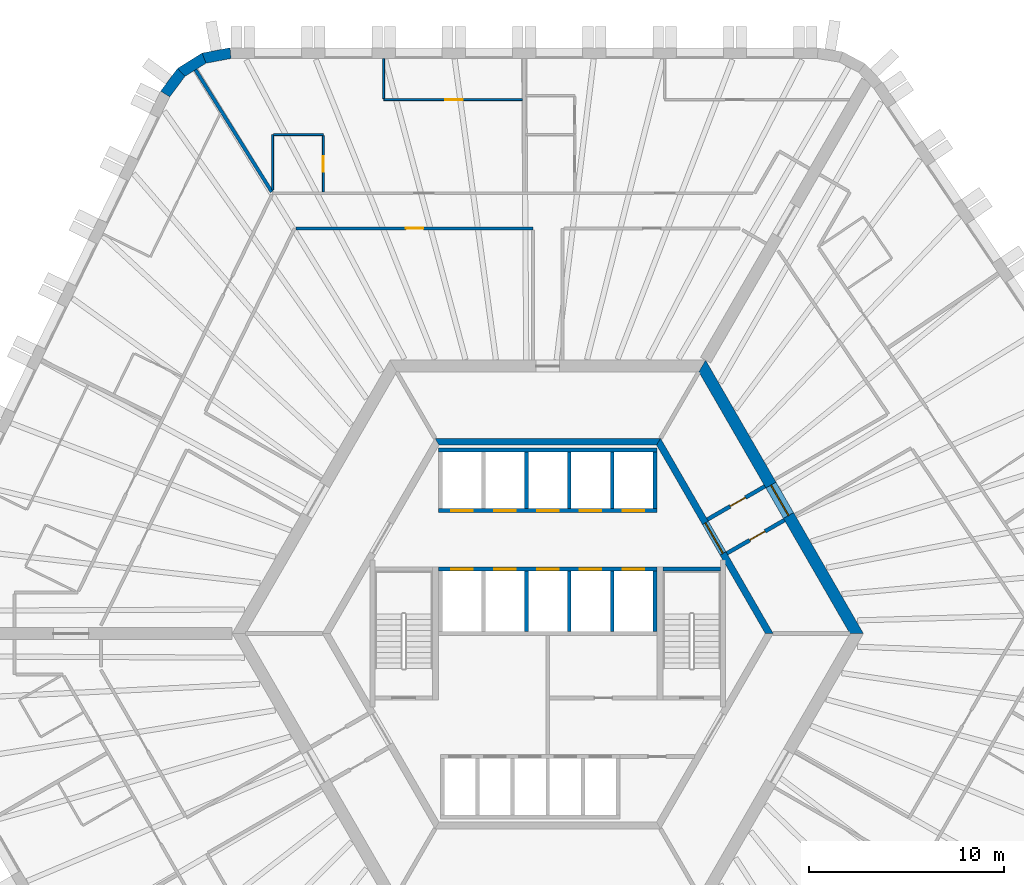
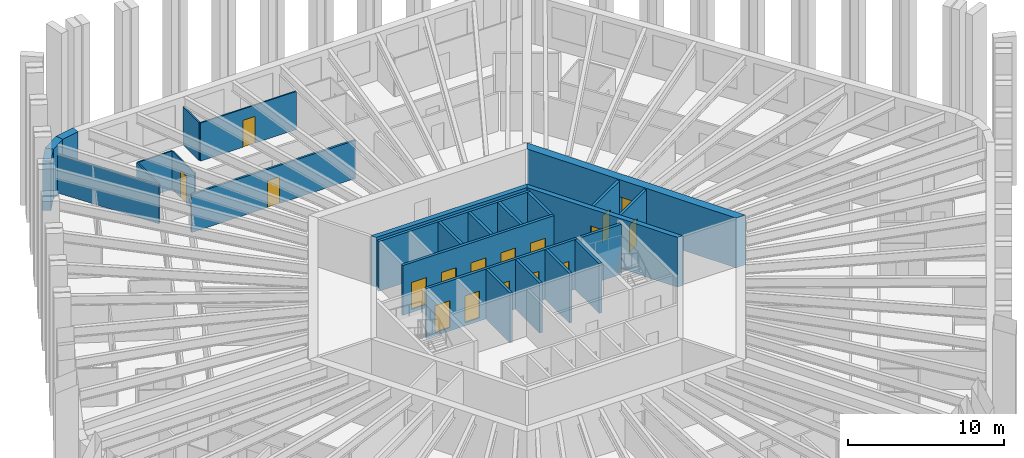
# One storey, part 8 of 12: 27 walls, 17 doors, 17 openings.
"""IFC4 building model written with IfcOpenShell, lengths in metres."""

from ifc_helpers import new_model, si_unit, direction, frame, frame_2d, origin, place, context, subcontext, project, spatial, polyline, rectangle, outline, extrude, material, layer, layer_set, type_object, element, fill, save


model = new_model("IFC4")

# Units and contexts
model_context = context("Model", 3, precision=1e-05, world=origin(), true_north=direction((0.0, 1.0)))
body_context = subcontext(model_context, "Body", "Model", "MODEL_VIEW")
ifc_project = project(units=[si_unit("LENGTHUNIT", "METRE"), si_unit("AREAUNIT", "SQUARE_METRE"), si_unit("VOLUMEUNIT", "CUBIC_METRE"), si_unit("PLANEANGLEUNIT", "RADIAN"), si_unit("MASSUNIT", "GRAM", prefix="KILO")], contexts=[model_context])

# Site, building, storey
site_placement = place(None, origin())
site = spatial("IfcSite", under=ifc_project, at=site_placement, CompositionType="ELEMENT")
building_placement = place(site_placement, origin())
building = spatial("IfcBuilding", under=site, at=building_placement, Name="Tarnside Tower", CompositionType="ELEMENT")
storey_placement = place(building_placement, frame((0.0, 0.0, 49.199951171875)))
storey = spatial("IfcBuildingStorey", under=building, at=storey_placement, Name="L09", CompositionType="ELEMENT", Elevation=49.199951171875)

# Walls
ifc_material_1 = material(Name="Gypsum board partition on steel studs", Category="steel")
ifc_layer_1 = layer(ifc_material_1, 0.10009765625)
ifc_layer_set_1 = layer_set([ifc_layer_1], Name="Bathroom wall 100")
wall_type_1 = type_object("IfcWallType", Name="Bathroom wall 100", PredefinedType="PARTITIONING", material=ifc_layer_set_1)
wall_1_placement = place(storey_placement, frame((-14.0908203125, 22.72119140625, 0.0), z_axis=(0.0, 0.0, 1.0), x_axis=(0.0, 1.0, 0.0)))
element("IfcWall", 1, at=wall_1_placement, inside=storey, type_object=wall_type_1, Name="Bathroom wall 02082", PredefinedType="PARTITIONING", context=body_context, shape_type="SweptSolid", body=[
    extrude(rectangle(XDim=2.828857421875, YDim=0.10009765625, at=frame_2d((1.41455078125, 0.0))), origin(), (0.0, 0.0, 1.0), 2.98779296875),
])
wall_2_placement = place(storey_placement, frame((-14.040771484375, 25.550048828125, 0.0), z_axis=(0.0, 0.0, 1.0), x_axis=(1.0, 0.0, 0.0)))
element("IfcWall", 2, at=wall_2_placement, inside=storey, type_object=wall_type_1, Name="Bathroom wall 02083", PredefinedType="PARTITIONING", context=body_context, shape_type="SweptSolid", body=[
    extrude(rectangle(XDim=2.550048828125, YDim=0.10009765625, at=frame_2d((1.27490234375, 0.0))), origin(), (0.0, 0.0, 1.0), 2.98779296875),
])

# Wall, opening, door
wall_3_placement = place(storey_placement, frame((-11.49072265625, 25.5, 0.0), z_axis=(0.0, 0.0, 1.0), x_axis=(0.0, -1.0, 0.0)))
wall_3 = element("IfcWall", 3, at=wall_3_placement, inside=storey, type_object=wall_type_1, Name="Bathroom wall 02084", PredefinedType="PARTITIONING", context=body_context, shape_type="SweptSolid", body=[
    extrude(rectangle(XDim=2.875, YDim=0.10009765625, at=frame_2d((1.4375, 0.0))), origin(), (0.0, 0.0, 1.0), 2.98779296875),
])
opening_1_placement = place(wall_3_placement, frame((1.050048828125, 0.0, 0.0)))
opening_1 = element("IfcOpeningElement", 4, at=opening_1_placement, cuts=wall_3, Name="Opening D-B1", PredefinedType="OPENING", context=body_context, shape_type="SweptSolid", body=[
    extrude(rectangle(XDim=0.800048828125, YDim=2.10009765625, at=frame_2d((0.39990234375, 1.050048828125))), frame((0.0, 0.06005859375, 0.0), z_axis=(0.0, -1.0, 0.0), x_axis=(1.0, 0.0, 0.0)), (0.0, 0.0, 1.0), 0.1201171875),
])
ifc_material_2 = material(Name="Timber door leaf", Category="wood")
door_type_1 = type_object("IfcDoorType", Name="Bathroom door 800", OperationType="NOTDEFINED", PredefinedType="DOOR", material=ifc_material_2)
door_1_placement = place(opening_1_placement, origin())
door_1 = element("IfcDoor", 5, at=door_1_placement, inside=storey, type_object=door_type_1, Name="Bathroom door 02006", OperationType="SINGLE_SWING_RIGHT", OverallHeight=2.10009765625, OverallWidth=0.800048828125, PredefinedType="DOOR", context=body_context, shape_type="SweptSolid", body=[
    extrude(rectangle(XDim=0.800048828125, YDim=2.10009765625, at=frame_2d((0.39990234375, 1.050048828125))), frame((0.0, 0.02490234375, 0.0), z_axis=(0.0, -1.0, 0.0), x_axis=(1.0, 0.0, 0.0)), (0.0, 0.0, 1.0), 0.050048828125),
])
fill(opening_1, door_1)

ifc_material_3 = material(Name="Concrete C50/60", Category="concrete")
ifc_layer_2 = layer(ifc_material_3, 0.35009765625)
ifc_layer_set_2 = layer_set([ifc_layer_2], Name="Core block wall 350 C50/60")
wall_type_2 = type_object("IfcWallType", Name="Core block wall 350 C50/60", PredefinedType="SHEAR", material=ifc_layer_set_2)
wall_4_placement = place(storey_placement, frame((11.344970703125, 0.0, -0.14990234375), z_axis=(0.0, 0.0, 1.0), x_axis=(-0.499995046907, 0.866028263435, 0.0)))
wall_4 = element("IfcWall", 6, at=wall_4_placement, inside=storey, type_object=wall_type_2, Name="L09 core block wall face 6", PredefinedType="SHEAR", context=body_context, shape_type="SweptSolid", body=[
    extrude(outline(polyline([(-0.10107421875, -0.175048828125), (11.44580078125, -0.175048828125), (11.24365234375, 0.175048828125), (0.10107421875, 0.175048828125), (-0.10107421875, -0.175048828125)])), origin(), (0.0, 0.0, 1.0), 3.89990234375),
])
opening_2_placement = place(wall_4_placement, frame((4.74365234375, 0.0, 0.14990234375)))
opening_2 = element("IfcOpeningElement", 7, at=opening_2_placement, cuts=wall_4, Name="Opening CD-LOB", PredefinedType="OPENING", context=body_context, shape_type="SweptSolid", body=[
    extrude(rectangle(XDim=1.800048828125, YDim=2.39990234375, at=frame_2d((0.89990234375, 1.199951171875))), frame((0.0, 0.18505859375, 0.0), z_axis=(0.0, -1.0, 0.0), x_axis=(1.0, 0.0, 0.0)), (0.0, 0.0, 1.0), 0.3701171875),
])
ifc_material_4 = material(Name="Steel fire door", Category="steel")
door_type_2 = type_object("IfcDoorType", Name="Lobby double door FD30S 1800x2400", OperationType="NOTDEFINED", PredefinedType="DOOR", material=ifc_material_4)
door_2_placement = place(opening_2_placement, origin())
door_2 = element("IfcDoor", 8, at=door_2_placement, inside=storey, type_object=door_type_2, Name="L09 lobby block door P2", OperationType="DOUBLE_DOOR_SINGLE_SWING", OverallHeight=2.39990234375, OverallWidth=1.800048828125, PredefinedType="DOOR", context=body_context, shape_type="SweptSolid", body=[
    extrude(rectangle(XDim=1.800048828125, YDim=2.39990234375, at=frame_2d((0.89990234375, 1.199951171875))), frame((0.0, 0.02490234375, 0.0), z_axis=(0.0, -1.0, 0.0), x_axis=(1.0, 0.0, 0.0)), (0.0, 0.0, 1.0), 0.050048828125),
])
fill(opening_2, door_2)

# Wall
wall_5_placement = place(storey_placement, frame((5.672607421875, 9.824951171875, -0.14990234375), z_axis=(0.0, 0.0, 1.0), x_axis=(-1.0, 0.0, 0.0)))
element("IfcWall", 9, at=wall_5_placement, inside=storey, type_object=wall_type_2, Name="L09 core block wall face 1", PredefinedType="SHEAR", context=body_context, shape_type="SweptSolid", body=[
    extrude(outline(polyline([(-0.10107421875, -0.175048828125), (11.4462890625, -0.175048828125), (11.244140625, 0.175048828125), (0.10107421875, 0.175048828125), (-0.10107421875, -0.175048828125)])), origin(), (0.0, 0.0, 1.0), 3.89990234375),
])

# Wall, opening, door
ifc_material_5 = material(Name="Concrete C40/50", Category="concrete")
ifc_layer_3 = layer(ifc_material_5, 0.199951171875)
ifc_layer_set_3 = layer_set([ifc_layer_3], Name="Core room partition 200 C40/50")
wall_type_3 = type_object("IfcWallType", Name="Core room partition 200 C40/50", PredefinedType="PARTITIONING", material=ifc_layer_set_3)
wall_6_placement = place(storey_placement, frame((8.1748046875, 5.841064453125, 0.0), z_axis=(0.0, 0.0, 1.0), x_axis=(0.866020560687, 0.500008388397, 0.0)))
wall_6 = element("IfcWall", 10, at=wall_6_placement, inside=storey, type_object=wall_type_3, Name="L09 core partition AC5L", PredefinedType="PARTITIONING", context=body_context, shape_type="SweptSolid", body=[
    extrude(rectangle(XDim=3.39990234375, YDim=0.199951171875, at=frame_2d((1.699951171875, 0.0))), origin(), (0.0, 0.0, 1.0), 3.650146484375),
])
opening_3_placement = place(wall_6_placement, frame((1.349609375, 0.0, 0.0)))
opening_3 = element("IfcOpeningElement", 11, at=opening_3_placement, cuts=wall_6, Name="Opening CD-room", PredefinedType="OPENING", context=body_context, shape_type="SweptSolid", body=[
    extrude(rectangle(XDim=0.89990234375, YDim=2.10009765625, at=frame_2d((0.449951171875, 1.050048828125))), frame((0.0, 0.10986328125, 0.0), z_axis=(0.0, -1.0, 0.0), x_axis=(1.0, 0.0, 0.0)), (0.0, 0.0, 1.0), 0.219970703125),
])
door_type_3 = type_object("IfcDoorType", Name="Room door FD60 900x2100", OperationType="NOTDEFINED", PredefinedType="DOOR", material=ifc_material_4)
door_3_placement = place(opening_3_placement, origin())
door_3 = element("IfcDoor", 12, at=door_3_placement, inside=storey, type_object=door_type_3, Name="L09 core room door AX5L", OperationType="SINGLE_SWING_LEFT", OverallHeight=2.10009765625, OverallWidth=0.89990234375, PredefinedType="DOOR", context=body_context, shape_type="SweptSolid", body=[
    extrude(rectangle(XDim=0.89990234375, YDim=2.10009765625, at=frame_2d((0.449951171875, 1.050048828125))), frame((0.0, 0.02490234375, 0.0), z_axis=(0.0, -1.0, 0.0), x_axis=(1.0, 0.0, 0.0)), (0.0, 0.0, 1.0), 0.050048828125),
])
fill(opening_3, door_3)

wall_7_placement = place(storey_placement, frame((9.1748046875, 4.10888671875, 0.0), z_axis=(0.0, 0.0, 1.0), x_axis=(0.865989465428, 0.500062241894, 0.0)))
wall_7 = element("IfcWall", 13, at=wall_7_placement, inside=storey, type_object=wall_type_3, Name="L09 core partition AC5R", PredefinedType="PARTITIONING", context=body_context, shape_type="SweptSolid", body=[
    extrude(rectangle(XDim=3.39990234375, YDim=0.199951171875, at=frame_2d((1.699951171875, 0.0))), origin(), (0.0, 0.0, 1.0), 3.650146484375),
])
opening_4_placement = place(wall_7_placement, frame((1.3505859375, 0.0, 0.0)))
opening_4 = element("IfcOpeningElement", 14, at=opening_4_placement, cuts=wall_7, Name="Opening CD-room", PredefinedType="OPENING", context=body_context, shape_type="SweptSolid", body=[
    extrude(rectangle(XDim=0.89990234375, YDim=2.10009765625, at=frame_2d((0.449951171875, 1.050048828125))), frame((0.0, 0.10986328125, 0.0), z_axis=(0.0, -1.0, 0.0), x_axis=(1.0, 0.0, 0.0)), (0.0, 0.0, 1.0), 0.219970703125),
])
door_4_placement = place(opening_4_placement, origin())
door_4 = element("IfcDoor", 15, at=door_4_placement, inside=storey, type_object=door_type_3, Name="L09 core room door AX5R", OperationType="SINGLE_SWING_LEFT", OverallHeight=2.10009765625, OverallWidth=0.89990234375, PredefinedType="DOOR", context=body_context, shape_type="SweptSolid", body=[
    extrude(rectangle(XDim=0.89990234375, YDim=2.10009765625, at=frame_2d((0.449951171875, 1.050048828125))), frame((0.0, 0.02490234375, 0.0), z_axis=(0.0, -1.0, 0.0), x_axis=(1.0, 0.0, 0.0)), (0.0, 0.0, 1.0), 0.050048828125),
])
fill(opening_4, door_4)

ifc_material_6 = material(Name="Concrete C80/95", Category="concrete")
ifc_layer_4 = layer(ifc_material_6, 0.60009765625)
ifc_layer_set_4 = layer_set([ifc_layer_4], Name="Core wall Z1 600 C80/95")
wall_type_4 = type_object("IfcWallType", Name="Core wall Z1 600 C80/95", PredefinedType="SHEAR", material=ifc_layer_set_4)
wall_8_placement = place(storey_placement, frame((15.8193359375, 0.0, -0.14990234375), z_axis=(0.0, 0.0, 1.0), x_axis=(-0.499999880136, 0.866025472988, 0.0)))
wall_8 = element("IfcWall", 16, at=wall_8_placement, inside=storey, type_object=wall_type_4, Name="L09 core wall face 6", PredefinedType="SHEAR", context=body_context, shape_type="SweptSolid", body=[
    extrude(outline(polyline([(-0.17333984375, -0.300048828125), (15.99267578125, -0.300048828125), (15.64599609375, 0.300048828125), (0.17333984375, 0.300048828125), (-0.17333984375, -0.300048828125)])), origin(), (0.0, 0.0, 1.0), 3.89990234375),
])
opening_5_placement = place(wall_8_placement, frame((6.980712890625, 0.0, 0.14990234375)))
opening_5 = element("IfcOpeningElement", 17, at=opening_5_placement, cuts=wall_8, Name="Opening CD-LOB", PredefinedType="OPENING", context=body_context, shape_type="SweptSolid", body=[
    extrude(rectangle(XDim=1.800048828125, YDim=2.39990234375, at=frame_2d((0.89990234375, 1.199951171875))), frame((0.0, 0.31005859375, 0.0), z_axis=(0.0, -1.0, 0.0), x_axis=(1.0, 0.0, 0.0)), (0.0, 0.0, 1.0), 0.6201171875),
])
door_5_placement = place(opening_5_placement, origin())
door_5 = element("IfcDoor", 18, at=door_5_placement, inside=storey, type_object=door_type_2, Name="L09 core door P2", OperationType="DOUBLE_DOOR_SINGLE_SWING", OverallHeight=2.39990234375, OverallWidth=1.800048828125, PredefinedType="DOOR", context=body_context, shape_type="SweptSolid", body=[
    extrude(rectangle(XDim=1.800048828125, YDim=2.39990234375, at=frame_2d((0.89990234375, 1.199951171875))), frame((0.0, 0.02490234375, 0.0), z_axis=(0.0, -1.0, 0.0), x_axis=(1.0, 0.0, 0.0)), (0.0, 0.0, 1.0), 0.050048828125),
])
fill(opening_5, door_5)

ifc_layer_5 = layer(ifc_material_1, 0.14990234375)
ifc_layer_set_5 = layer_set([ifc_layer_5], Name="Corridor wall 150 EI 60")
wall_type_5 = type_object("IfcWallType", Name="Corridor wall 150 EI 60", PredefinedType="PARTITIONING", material=ifc_layer_set_5)
wall_9_placement = place(storey_placement, frame((-12.882568359375, 20.75, 0.0), z_axis=(0.0, 0.0, 1.0), x_axis=(1.0, 0.0, 0.0)))
wall_9 = element("IfcWall", 19, at=wall_9_placement, inside=storey, type_object=wall_type_5, Name="Corridor wall 02015", PredefinedType="PARTITIONING", context=body_context, shape_type="SweptSolid", body=[
    extrude(rectangle(XDim=12.132568359375, YDim=0.14990234375, at=frame_2d((6.06640625, 0.0))), origin(), (0.0, 0.0, 1.0), 2.98779296875),
])
opening_6_placement = place(wall_9_placement, frame((5.6162109375, 0.0, 0.0)))
opening_6 = element("IfcOpeningElement", 20, at=opening_6_placement, cuts=wall_9, Name="Opening D-S1", PredefinedType="OPENING", context=body_context, shape_type="SweptSolid", body=[
    extrude(rectangle(XDim=0.89990234375, YDim=2.10009765625, at=frame_2d((0.449951171875, 1.050048828125))), frame((0.0, 0.0849609375, 0.0), z_axis=(0.0, -1.0, 0.0), x_axis=(1.0, 0.0, 0.0)), (0.0, 0.0, 1.0), 0.169921875),
])
door_type_4 = type_object("IfcDoorType", Name="Service room door 900 FD30S", OperationType="NOTDEFINED", PredefinedType="DOOR", material=ifc_material_2)
door_6_placement = place(opening_6_placement, origin())
door_6 = element("IfcDoor", 21, at=door_6_placement, inside=storey, type_object=door_type_4, Name="Service door 02041", OperationType="SINGLE_SWING_LEFT", OverallHeight=2.10009765625, OverallWidth=0.89990234375, PredefinedType="DOOR", context=body_context, shape_type="SweptSolid", body=[
    extrude(rectangle(XDim=0.89990234375, YDim=2.10009765625, at=frame_2d((0.449951171875, 1.050048828125))), frame((0.0, 0.02490234375, 0.0), z_axis=(0.0, -1.0, 0.0), x_axis=(1.0, 0.0, 0.0)), (0.0, 0.0, 1.0), 0.050048828125),
])
fill(opening_6, door_6)

# Wall
ifc_layer_6 = layer(ifc_material_1, 0.179931640625)
ifc_layer_set_6 = layer_set([ifc_layer_6], Name="Demising wall 180 EI 60")
wall_type_6 = type_object("IfcWallType", Name="Demising wall 180 EI 60", PredefinedType="PARTITIONING", material=ifc_layer_set_6)
wall_10_placement = place(storey_placement, frame((-18.040771484375, 28.87109375, 0.0), z_axis=(0.0, 0.0, 1.0), x_axis=(0.529927429128, -0.848042994109, 0.0)))
element("IfcWall", 22, at=wall_10_placement, inside=storey, type_object=wall_type_6, Name="Demising wall 02087", PredefinedType="PARTITIONING", context=body_context, shape_type="SweptSolid", body=[
    extrude(rectangle(XDim=7.365234375, YDim=0.179931640625, at=frame_2d((3.6826171875, 0.0))), origin(), (0.0, 0.0, 1.0), 2.98779296875),
])

# Wall, openings, doors
ifc_layer_7 = layer(ifc_material_5, 0.199951171875)
ifc_layer_set_7 = layer_set([ifc_layer_7], Name="Lift shaft wall 200 C40/50")
wall_type_7 = type_object("IfcWallType", Name="Lift shaft wall 200 C40/50", PredefinedType="SHEAR", material=ifc_layer_set_7)
wall_11_placement = place(storey_placement, frame((-5.60009765625, 6.300048828125, -0.25), z_axis=(0.0, 0.0, 1.0), x_axis=(1.0, 0.0, 0.0)))
wall_11 = element("IfcWall", 23, at=wall_11_placement, inside=storey, type_object=wall_type_7, Name="L09 lift shaft front wall R1", PredefinedType="SHEAR", context=body_context, shape_type="SweptSolid", body=[
    extrude(rectangle(XDim=11.2001953125, YDim=0.199951171875, at=frame_2d((5.60009765625, 0.0))), origin(), (0.0, 0.0, 1.0), 3.900146484375),
])
opening_7_placement = place(wall_11_placement, frame((0.64990234375, 0.0, 0.25)))
opening_7 = element("IfcOpeningElement", 24, at=opening_7_placement, cuts=wall_11, Name="Opening LD", PredefinedType="OPENING", context=body_context, shape_type="SweptSolid", body=[
    extrude(rectangle(XDim=1.10009765625, YDim=2.10009765625, at=frame_2d((0.550048828125, 1.050048828125))), frame((0.0, 0.10986328125, 0.0), z_axis=(0.0, -1.0, 0.0), x_axis=(1.0, 0.0, 0.0)), (0.0, 0.0, 1.0), 0.219970703125),
])
opening_8_placement = place(wall_11_placement, frame((2.85009765625, 0.0, 0.25)))
opening_8 = element("IfcOpeningElement", 25, at=opening_8_placement, cuts=wall_11, Name="Opening LD", PredefinedType="OPENING", context=body_context, shape_type="SweptSolid", body=[
    extrude(rectangle(XDim=1.10009765625, YDim=2.10009765625, at=frame_2d((0.550048828125, 1.050048828125))), frame((0.0, 0.10986328125, 0.0), z_axis=(0.0, -1.0, 0.0), x_axis=(1.0, 0.0, 0.0)), (0.0, 0.0, 1.0), 0.219970703125),
])
opening_9_placement = place(wall_11_placement, frame((5.050048828125, 0.0, 0.25)))
opening_9 = element("IfcOpeningElement", 26, at=opening_9_placement, cuts=wall_11, Name="Opening LD", PredefinedType="OPENING", context=body_context, shape_type="SweptSolid", body=[
    extrude(rectangle(XDim=1.10009765625, YDim=2.10009765625, at=frame_2d((0.550048828125, 1.050048828125))), frame((0.0, 0.10986328125, 0.0), z_axis=(0.0, -1.0, 0.0), x_axis=(1.0, 0.0, 0.0)), (0.0, 0.0, 1.0), 0.219970703125),
])
opening_10_placement = place(wall_11_placement, frame((7.25, 0.0, 0.25)))
opening_10 = element("IfcOpeningElement", 27, at=opening_10_placement, cuts=wall_11, Name="Opening LD", PredefinedType="OPENING", context=body_context, shape_type="SweptSolid", body=[
    extrude(rectangle(XDim=1.10009765625, YDim=2.10009765625, at=frame_2d((0.550048828125, 1.050048828125))), frame((0.0, 0.10986328125, 0.0), z_axis=(0.0, -1.0, 0.0), x_axis=(1.0, 0.0, 0.0)), (0.0, 0.0, 1.0), 0.219970703125),
])
opening_11_placement = place(wall_11_placement, frame((9.449951171875, 0.0, 0.25)))
opening_11 = element("IfcOpeningElement", 28, at=opening_11_placement, cuts=wall_11, Name="Opening LD", PredefinedType="OPENING", context=body_context, shape_type="SweptSolid", body=[
    extrude(rectangle(XDim=1.10009765625, YDim=2.10009765625, at=frame_2d((0.550048828125, 1.050048828125))), frame((0.0, 0.10986328125, 0.0), z_axis=(0.0, -1.0, 0.0), x_axis=(1.0, 0.0, 0.0)), (0.0, 0.0, 1.0), 0.219970703125),
])
ifc_material_7 = material(Name="Stainless steel", Category="steel")
door_type_5 = type_object("IfcDoorType", Name="Lift landing door 1100x2100", OperationType="NOTDEFINED", PredefinedType="DOOR", material=ifc_material_7)
door_7_placement = place(opening_7_placement, origin())
door_7 = element("IfcDoor", 29, at=door_7_placement, inside=storey, type_object=door_type_5, Name="Low-rise lift 1 landing door L09", OperationType="SLIDING_TO_LEFT", OverallHeight=2.10009765625, OverallWidth=1.10009765625, PredefinedType="DOOR", context=body_context, shape_type="SweptSolid", body=[
    extrude(rectangle(XDim=1.10009765625, YDim=2.10009765625, at=frame_2d((0.550048828125, 1.050048828125))), frame((0.0, 0.02490234375, 0.0), z_axis=(0.0, -1.0, 0.0), x_axis=(1.0, 0.0, 0.0)), (0.0, 0.0, 1.0), 0.050048828125),
])
fill(opening_7, door_7)
door_8_placement = place(opening_8_placement, origin())
door_8 = element("IfcDoor", 30, at=door_8_placement, inside=storey, type_object=door_type_5, Name="Low-rise lift 2 landing door L09", OperationType="SLIDING_TO_LEFT", OverallHeight=2.10009765625, OverallWidth=1.10009765625, PredefinedType="DOOR", context=body_context, shape_type="SweptSolid", body=[
    extrude(rectangle(XDim=1.10009765625, YDim=2.10009765625, at=frame_2d((0.550048828125, 1.050048828125))), frame((0.0, 0.02490234375, 0.0), z_axis=(0.0, -1.0, 0.0), x_axis=(1.0, 0.0, 0.0)), (0.0, 0.0, 1.0), 0.050048828125),
])
fill(opening_8, door_8)
door_9_placement = place(opening_9_placement, origin())
door_9 = element("IfcDoor", 31, at=door_9_placement, inside=storey, type_object=door_type_5, Name="Low-rise lift 3 landing door L09", OperationType="SLIDING_TO_LEFT", OverallHeight=2.10009765625, OverallWidth=1.10009765625, PredefinedType="DOOR", context=body_context, shape_type="SweptSolid", body=[
    extrude(rectangle(XDim=1.10009765625, YDim=2.10009765625, at=frame_2d((0.550048828125, 1.050048828125))), frame((0.0, 0.02490234375, 0.0), z_axis=(0.0, -1.0, 0.0), x_axis=(1.0, 0.0, 0.0)), (0.0, 0.0, 1.0), 0.050048828125),
])
fill(opening_9, door_9)
door_10_placement = place(opening_10_placement, origin())
door_10 = element("IfcDoor", 32, at=door_10_placement, inside=storey, type_object=door_type_5, Name="Low sky-lobby shuttle 1 landing door L09", OperationType="SLIDING_TO_LEFT", OverallHeight=2.10009765625, OverallWidth=1.10009765625, PredefinedType="DOOR", context=body_context, shape_type="SweptSolid", body=[
    extrude(rectangle(XDim=1.10009765625, YDim=2.10009765625, at=frame_2d((0.550048828125, 1.050048828125))), frame((0.0, 0.02490234375, 0.0), z_axis=(0.0, -1.0, 0.0), x_axis=(1.0, 0.0, 0.0)), (0.0, 0.0, 1.0), 0.050048828125),
])
fill(opening_10, door_10)
door_11_placement = place(opening_11_placement, origin())
door_11 = element("IfcDoor", 33, at=door_11_placement, inside=storey, type_object=door_type_5, Name="Low sky-lobby shuttle 2 landing door L09", OperationType="SLIDING_TO_LEFT", OverallHeight=2.10009765625, OverallWidth=1.10009765625, PredefinedType="DOOR", context=body_context, shape_type="SweptSolid", body=[
    extrude(rectangle(XDim=1.10009765625, YDim=2.10009765625, at=frame_2d((0.550048828125, 1.050048828125))), frame((0.0, 0.02490234375, 0.0), z_axis=(0.0, -1.0, 0.0), x_axis=(1.0, 0.0, 0.0)), (0.0, 0.0, 1.0), 0.050048828125),
])
fill(opening_11, door_11)

# Walls
wall_12_placement = place(storey_placement, frame((-5.60009765625, 9.39990234375, -0.25), z_axis=(0.0, 0.0, 1.0), x_axis=(1.0, 0.0, 0.0)))
element("IfcWall", 34, at=wall_12_placement, inside=storey, type_object=wall_type_7, Name="L09 lift shaft back wall R1", PredefinedType="SHEAR", context=body_context, shape_type="SweptSolid", body=[
    extrude(rectangle(XDim=11.2001953125, YDim=0.199951171875, at=frame_2d((5.60009765625, 0.0))), origin(), (0.0, 0.0, 1.0), 3.900146484375),
])
for number, where, z_axis, x_axis, name in (
    (35, (-1.10009765625, 6.39990234375, -0.25), (0.0, 0.0, 1.0), (0.0, 1.0, 0.0), "L09 lift shaft partition R13"),
    (36, (1.10009765625, 6.39990234375, -0.25), (0.0, 0.0, 1.0), (0.0, 1.0, 0.0), "L09 lift shaft partition R14"),
    (37, (3.300048828125, 6.39990234375, -0.25), (0.0, 0.0, 1.0), (0.0, 1.0, 0.0), "L09 lift shaft partition R15"),
    (38, (5.5, 6.39990234375, -0.25), (0.0, 0.0, 1.0), (0.0, 1.0, 0.0), "L09 lift shaft partition R16"),
):
    element("IfcWall", number, at=place(storey_placement, frame(where, z_axis=z_axis, x_axis=x_axis)), inside=storey, type_object=wall_type_7, Name=name, PredefinedType="SHEAR", context=body_context, shape_type="SweptSolid", body=[
        extrude(rectangle(XDim=2.900146484375, YDim=0.199951171875, at=frame_2d((1.4501953125, 0.0))), origin(), (0.0, 0.0, 1.0), 3.900146484375),
    ])

# Wall, openings, doors
wall_13_placement = place(storey_placement, frame((-5.60009765625, 3.300048828125, -0.25), z_axis=(0.0, 0.0, 1.0), x_axis=(1.0, 0.0, 0.0)))
wall_13 = element("IfcWall", 39, at=wall_13_placement, inside=storey, type_object=wall_type_7, Name="L09 lift shaft front wall R2", PredefinedType="SHEAR", context=body_context, shape_type="SweptSolid", body=[
    extrude(rectangle(XDim=11.2001953125, YDim=0.199951171875, at=frame_2d((5.60009765625, 0.0))), origin(), (0.0, 0.0, 1.0), 3.900146484375),
])
opening_12_placement = place(wall_13_placement, frame((0.64990234375, 0.0, 0.25)))
opening_12 = element("IfcOpeningElement", 40, at=opening_12_placement, cuts=wall_13, Name="Opening LD", PredefinedType="OPENING", context=body_context, shape_type="SweptSolid", body=[
    extrude(rectangle(XDim=1.10009765625, YDim=2.10009765625, at=frame_2d((0.550048828125, 1.050048828125))), frame((0.0, 0.10986328125, 0.0), z_axis=(0.0, -1.0, 0.0), x_axis=(1.0, 0.0, 0.0)), (0.0, 0.0, 1.0), 0.219970703125),
])
opening_13_placement = place(wall_13_placement, frame((2.85009765625, 0.0, 0.25)))
opening_13 = element("IfcOpeningElement", 41, at=opening_13_placement, cuts=wall_13, Name="Opening LD", PredefinedType="OPENING", context=body_context, shape_type="SweptSolid", body=[
    extrude(rectangle(XDim=1.10009765625, YDim=2.10009765625, at=frame_2d((0.550048828125, 1.050048828125))), frame((0.0, 0.10986328125, 0.0), z_axis=(0.0, -1.0, 0.0), x_axis=(1.0, 0.0, 0.0)), (0.0, 0.0, 1.0), 0.219970703125),
])
opening_14_placement = place(wall_13_placement, frame((5.050048828125, 0.0, 0.25)))
opening_14 = element("IfcOpeningElement", 42, at=opening_14_placement, cuts=wall_13, Name="Opening LD", PredefinedType="OPENING", context=body_context, shape_type="SweptSolid", body=[
    extrude(rectangle(XDim=1.10009765625, YDim=2.10009765625, at=frame_2d((0.550048828125, 1.050048828125))), frame((0.0, 0.10986328125, 0.0), z_axis=(0.0, -1.0, 0.0), x_axis=(1.0, 0.0, 0.0)), (0.0, 0.0, 1.0), 0.219970703125),
])
opening_15_placement = place(wall_13_placement, frame((7.25, 0.0, 0.25)))
opening_15 = element("IfcOpeningElement", 43, at=opening_15_placement, cuts=wall_13, Name="Opening LD", PredefinedType="OPENING", context=body_context, shape_type="SweptSolid", body=[
    extrude(rectangle(XDim=1.10009765625, YDim=2.10009765625, at=frame_2d((0.550048828125, 1.050048828125))), frame((0.0, 0.10986328125, 0.0), z_axis=(0.0, -1.0, 0.0), x_axis=(1.0, 0.0, 0.0)), (0.0, 0.0, 1.0), 0.219970703125),
])
opening_16_placement = place(wall_13_placement, frame((9.449951171875, 0.0, 0.25)))
opening_16 = element("IfcOpeningElement", 44, at=opening_16_placement, cuts=wall_13, Name="Opening LD", PredefinedType="OPENING", context=body_context, shape_type="SweptSolid", body=[
    extrude(rectangle(XDim=1.10009765625, YDim=2.10009765625, at=frame_2d((0.550048828125, 1.050048828125))), frame((0.0, 0.10986328125, 0.0), z_axis=(0.0, -1.0, 0.0), x_axis=(1.0, 0.0, 0.0)), (0.0, 0.0, 1.0), 0.219970703125),
])
door_12_placement = place(opening_12_placement, origin())
door_12 = element("IfcDoor", 45, at=door_12_placement, inside=storey, type_object=door_type_5, Name="Low-rise lift 4 landing door L09", OperationType="SLIDING_TO_LEFT", OverallHeight=2.10009765625, OverallWidth=1.10009765625, PredefinedType="DOOR", context=body_context, shape_type="SweptSolid", body=[
    extrude(rectangle(XDim=1.10009765625, YDim=2.10009765625, at=frame_2d((0.550048828125, 1.050048828125))), frame((0.0, 0.02490234375, 0.0), z_axis=(0.0, -1.0, 0.0), x_axis=(1.0, 0.0, 0.0)), (0.0, 0.0, 1.0), 0.050048828125),
])
fill(opening_12, door_12)
door_13_placement = place(opening_13_placement, origin())
door_13 = element("IfcDoor", 46, at=door_13_placement, inside=storey, type_object=door_type_5, Name="Low-rise lift 5 landing door L09", OperationType="SLIDING_TO_LEFT", OverallHeight=2.10009765625, OverallWidth=1.10009765625, PredefinedType="DOOR", context=body_context, shape_type="SweptSolid", body=[
    extrude(rectangle(XDim=1.10009765625, YDim=2.10009765625, at=frame_2d((0.550048828125, 1.050048828125))), frame((0.0, 0.02490234375, 0.0), z_axis=(0.0, -1.0, 0.0), x_axis=(1.0, 0.0, 0.0)), (0.0, 0.0, 1.0), 0.050048828125),
])
fill(opening_13, door_13)
door_14_placement = place(opening_14_placement, origin())
door_14 = element("IfcDoor", 47, at=door_14_placement, inside=storey, type_object=door_type_5, Name="Low-rise lift 6 landing door L09", OperationType="SLIDING_TO_LEFT", OverallHeight=2.10009765625, OverallWidth=1.10009765625, PredefinedType="DOOR", context=body_context, shape_type="SweptSolid", body=[
    extrude(rectangle(XDim=1.10009765625, YDim=2.10009765625, at=frame_2d((0.550048828125, 1.050048828125))), frame((0.0, 0.02490234375, 0.0), z_axis=(0.0, -1.0, 0.0), x_axis=(1.0, 0.0, 0.0)), (0.0, 0.0, 1.0), 0.050048828125),
])
fill(opening_14, door_14)
door_15_placement = place(opening_15_placement, origin())
door_15 = element("IfcDoor", 48, at=door_15_placement, inside=storey, type_object=door_type_5, Name="High sky-lobby shuttle 1 landing door L09", OperationType="SLIDING_TO_LEFT", OverallHeight=2.10009765625, OverallWidth=1.10009765625, PredefinedType="DOOR", context=body_context, shape_type="SweptSolid", body=[
    extrude(rectangle(XDim=1.10009765625, YDim=2.10009765625, at=frame_2d((0.550048828125, 1.050048828125))), frame((0.0, 0.02490234375, 0.0), z_axis=(0.0, -1.0, 0.0), x_axis=(1.0, 0.0, 0.0)), (0.0, 0.0, 1.0), 0.050048828125),
])
fill(opening_15, door_15)
door_16_placement = place(opening_16_placement, origin())
door_16 = element("IfcDoor", 49, at=door_16_placement, inside=storey, type_object=door_type_5, Name="Express sky-lobby shuttle 2 landing door L09", OperationType="SLIDING_TO_LEFT", OverallHeight=2.10009765625, OverallWidth=1.10009765625, PredefinedType="DOOR", context=body_context, shape_type="SweptSolid", body=[
    extrude(rectangle(XDim=1.10009765625, YDim=2.10009765625, at=frame_2d((0.550048828125, 1.050048828125))), frame((0.0, 0.02490234375, 0.0), z_axis=(0.0, -1.0, 0.0), x_axis=(1.0, 0.0, 0.0)), (0.0, 0.0, 1.0), 0.050048828125),
])
fill(opening_16, door_16)

# Walls
for number, where, z_axis, x_axis, name in (
    (50, (-1.10009765625, 0.10009765625, -0.25), (0.0, 0.0, 1.0), (0.0, 1.0, 0.0), "L09 lift shaft partition R23"),
    (51, (1.10009765625, 0.10009765625, -0.25), (0.0, 0.0, 1.0), (0.0, 1.0, 0.0), "L09 lift shaft partition R24"),
    (52, (3.300048828125, 0.10009765625, -0.25), (0.0, 0.0, 1.0), (0.0, 1.0, 0.0), "L09 lift shaft partition R25"),
    (53, (5.5, 0.10009765625, -0.25), (0.0, 0.0, 1.0), (0.0, 1.0, 0.0), "L09 lift shaft partition R26"),
):
    element("IfcWall", number, at=place(storey_placement, frame(where, z_axis=z_axis, x_axis=x_axis)), inside=storey, type_object=wall_type_7, Name=name, PredefinedType="SHEAR", context=body_context, shape_type="SweptSolid", body=[
        extrude(rectangle(XDim=3.099853515625, YDim=0.199951171875, at=frame_2d((1.5498046875, 0.0))), origin(), (0.0, 0.0, 1.0), 3.900146484375),
    ])
wall_14_placement = place(storey_placement, frame((5.89990234375, 3.300048828125, -0.25), z_axis=(0.0, 0.0, 1.0), x_axis=(1.0, 0.0, 0.0)))
element("IfcWall", 54, at=wall_14_placement, inside=storey, type_object=wall_type_7, Name="L09 stair 1 enclosure cap wall n", PredefinedType="SHEAR", context=body_context, shape_type="SweptSolid", body=[
    extrude(rectangle(XDim=2.9501953125, YDim=0.199951171875, at=frame_2d((1.47509765625, 0.0))), origin(), (0.0, 0.0, 1.0), 3.900146484375),
])

# Wall, opening, door
ifc_layer_8 = layer(ifc_material_1, 0.10009765625)
ifc_layer_set_8 = layer_set([ifc_layer_8], Name="Partition 100")
wall_type_8 = type_object("IfcWallType", Name="Partition 100", PredefinedType="PARTITIONING", material=ifc_layer_set_8)
wall_15_placement = place(storey_placement, frame((-1.301025390625, 27.35009765625, 0.0), z_axis=(0.0, 0.0, 1.0), x_axis=(-1.0, 0.0, 0.0)))
wall_15 = element("IfcWall", 55, at=wall_15_placement, inside=storey, type_object=wall_type_8, Name="Partition wall 02085", PredefinedType="PARTITIONING", context=body_context, shape_type="SweptSolid", body=[
    extrude(rectangle(XDim=7.110107421875, YDim=0.10009765625, at=frame_2d((3.55517578125, 0.0))), origin(), (0.0, 0.0, 1.0), 2.98779296875),
])
opening_17_placement = place(wall_15_placement, frame((3.06005859375, 0.0, 0.0)))
opening_17 = element("IfcOpeningElement", 56, at=opening_17_placement, cuts=wall_15, Name="Opening D-I1", PredefinedType="OPENING", context=body_context, shape_type="SweptSolid", body=[
    extrude(rectangle(XDim=0.89990234375, YDim=2.10009765625, at=frame_2d((0.449951171875, 1.050048828125))), frame((0.0, 0.06005859375, 0.0), z_axis=(0.0, -1.0, 0.0), x_axis=(1.0, 0.0, 0.0)), (0.0, 0.0, 1.0), 0.1201171875),
])
door_type_6 = type_object("IfcDoorType", Name="Internal door 900", OperationType="NOTDEFINED", PredefinedType="DOOR", material=ifc_material_2)
door_17_placement = place(opening_17_placement, origin())
door_17 = element("IfcDoor", 57, at=door_17_placement, inside=storey, type_object=door_type_6, Name="Internal door 02007", OperationType="SINGLE_SWING_RIGHT", OverallHeight=2.10009765625, OverallWidth=0.89990234375, PredefinedType="DOOR", context=body_context, shape_type="SweptSolid", body=[
    extrude(rectangle(XDim=0.89990234375, YDim=2.10009765625, at=frame_2d((0.449951171875, 1.050048828125))), frame((0.0, 0.02490234375, 0.0), z_axis=(0.0, -1.0, 0.0), x_axis=(1.0, 0.0, 0.0)), (0.0, 0.0, 1.0), 0.050048828125),
])
fill(opening_17, door_17)

# Walls
wall_16_placement = place(storey_placement, frame((-8.4111328125, 27.39990234375, 0.0), z_axis=(0.0, 0.0, 1.0), x_axis=(0.0, 1.0, 0.0)))
element("IfcWall", 58, at=wall_16_placement, inside=storey, type_object=wall_type_8, Name="Partition wall 02086", PredefinedType="PARTITIONING", context=body_context, shape_type="SweptSolid", body=[
    extrude(rectangle(XDim=2.050048828125, YDim=0.10009765625, at=frame_2d((1.02490234375, 0.0))), origin(), (0.0, 0.0, 1.0), 2.98779296875),
])
ifc_material_8 = material(Name="Facing brick", Category="masonry")
ifc_layer_9 = layer(ifc_material_8, 0.10205078125)
ifc_material_9 = material(Name="Concrete C60/75 precast", Category="concrete")
ifc_layer_10 = layer(ifc_material_9, 0.347900390625)
ifc_material_10 = material(Name="Mineral wool insulation")
ifc_layer_11 = layer(ifc_material_10, 0.10009765625)
ifc_layer_set_9 = layer_set([ifc_layer_9, ifc_layer_10, ifc_layer_11], Name="Tube wall 550 brick faced")
wall_type_9 = type_object("IfcWallType", Name="Tube wall 550 brick faced", PredefinedType="SOLIDWALL", material=ifc_layer_set_9)
wall_17_placement = place(storey_placement, frame((-16.24658203125, 29.72509765625, -0.14990234375), z_axis=(0.0, 0.0, 1.0), x_axis=(-0.982705443133, -0.185175624845, 0.0)))
element("IfcWall", 59, at=wall_17_placement, inside=storey, type_object=wall_type_9, Name="Tube wall L09 F1 chord 01", PredefinedType="SOLIDWALL", context=body_context, shape_type="SweptSolid", body=[
    extrude(outline(polyline([(-0.025634765625, -0.27490234375), (1.430908203125, -0.27490234375), (1.327392578125, 0.27490234375), (0.025634765625, 0.27490234375), (-0.025634765625, -0.27490234375)])), origin(), (0.0, 0.0, 1.0), 3.89990234375),
])
wall_18_placement = place(storey_placement, frame((-17.601806640625, 29.4697265625, -0.14990234375), z_axis=(0.0, 0.0, 1.0), x_axis=(-0.848057977594, -0.5299034503, 0.0)))
element("IfcWall", 60, at=wall_18_placement, inside=storey, type_object=wall_type_9, Name="Tube wall L09 F1 chord 02", PredefinedType="SOLIDWALL", context=body_context, shape_type="SweptSolid", body=[
    extrude(outline(polyline([(-0.0517578125, -0.27490234375), (1.4306640625, -0.27490234375), (1.3271484375, 0.27490234375), (0.0517578125, 0.27490234375), (-0.0517578125, -0.27490234375)])), origin(), (0.0, 0.0, 1.0), 3.89990234375),
])
wall_19_placement = place(storey_placement, frame((-18.771240234375, 28.739013671875, -0.14990234375), z_axis=(0.0, 0.0, 1.0), x_axis=(-0.597135295884, -0.802140535324, 0.0)))
element("IfcWall", 61, at=wall_19_placement, inside=storey, type_object=wall_type_9, Name="Tube wall L09 F1 chord 03", PredefinedType="SOLIDWALL", context=body_context, shape_type="SweptSolid", body=[
    extrude(outline(polyline([(-0.0517578125, -0.27490234375), (1.40478515625, -0.27490234375), (1.353515625, 0.27490234375), (0.0517578125, 0.27490234375), (-0.0517578125, -0.27490234375)])), origin(), (0.0, 0.0, 1.0), 3.89990234375),
])

save(model, "model.ifc")
